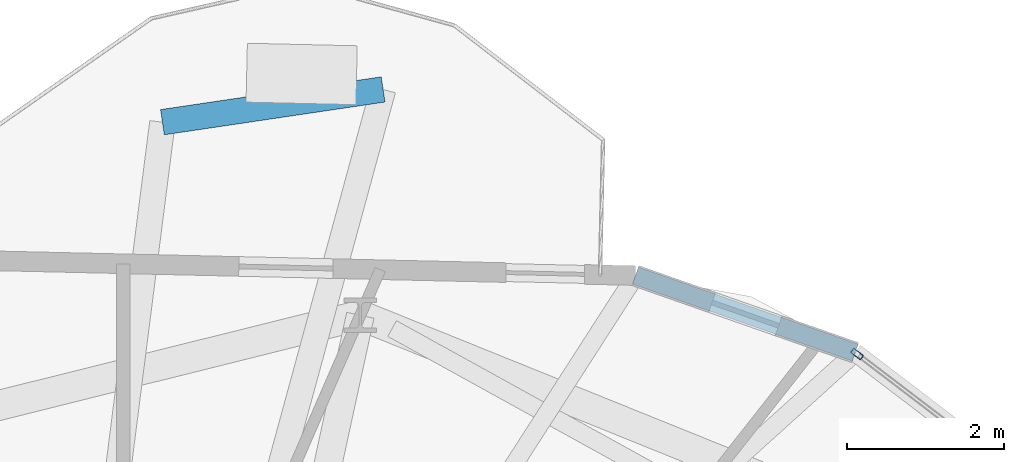
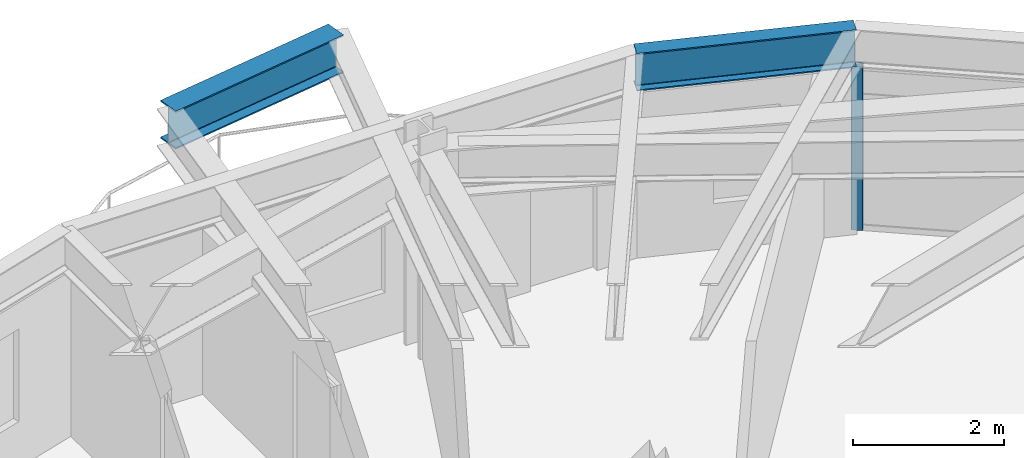
# One storey, part 13 of 22: 2 beams, 1 member, 1 element without a shape of its own.
"""IFC4 building model written with IfcOpenShell, lengths in metres."""

import ifcopenshell
import ifcopenshell.guid

model = None  # the IFC model being written
_history = None  # IfcOwnerHistory: only IFC2X3 demands one
_inside = {}  # id of a spatial element -> (the spatial element, [elements in it])
_under = {}  # id of a project, library or spatial element -> (it, [spatial elements below it])
_declared = {}  # id of a project -> (the project, [libraries it declares])
_typed = {}  # id of a type object -> (the type object, [elements of that type])
_made_of = {}  # id of a material, layer set ... -> (it, [elements and type objects made of it])


def new_model(schema):
    """Start an empty IFC model of exactly this schema.

    Asked for "IFC4X3", IfcOpenShell would pick the latest addendum, in which some entities
    have other attributes; the version numbers below select the first issue.
    IFC2X3 requires an IfcOwnerHistory on every rooted entity: one is made here for all.
    """
    global model, _history
    if schema == "IFC4X3":
        model = ifcopenshell.file(schema_version=(4, 3, 0, 0))
    else:
        model = ifcopenshell.file(schema=schema)
    _inside.clear()
    _under.clear()
    _declared.clear()
    _typed.clear()
    _made_of.clear()
    _history = None
    if model.schema == "IFC2X3":
        org = make("IfcOrganization", Name="unknown")
        user = make(
            "IfcPersonAndOrganization",
            ThePerson=make("IfcPerson", FamilyName="unknown"),
            TheOrganization=org,
        )
        app = make(
            "IfcApplication",
            ApplicationDeveloper=org,
            Version="unknown",
            ApplicationFullName="unknown",
            ApplicationIdentifier="unknown",
        )
        _history = make(
            "IfcOwnerHistory",
            OwningUser=user,
            OwningApplication=app,
            ChangeAction="ADDED",
            CreationDate=0,
        )
    return model


def make(cls, **values):
    """One entity of the class cls with the attributes given. An attribute that is None is left unset."""
    return model.create_entity(
        cls, **{name: value for name, value in values.items() if value is not None}
    )


def rooted(cls, **values):
    """An entity with a GlobalId (a new one), such as an element, a storey or a relation."""
    return make(cls, GlobalId=ifcopenshell.guid.new(), OwnerHistory=_history, **values)


def si_unit(unit_type, name, prefix=None):
    """IfcSIUnit, for example si_unit("LENGTHUNIT", "METRE", prefix="MILLI")."""
    return make("IfcSIUnit", UnitType=unit_type, Prefix=prefix, Name=name)


def assignment(units):
    """IfcUnitAssignment: the units of a project."""
    return None if units is None else make("IfcUnitAssignment", Units=units)


def point(xyz):
    """IfcCartesianPoint."""
    return None if xyz is None else make("IfcCartesianPoint", Coordinates=xyz)


def direction(xyz):
    """IfcDirection."""
    return None if xyz is None else make("IfcDirection", DirectionRatios=xyz)


def frame(location, z_axis=None, x_axis=None):
    """IfcAxis2Placement3D, a coordinate frame: its origin and axes. An axis left out is left unset."""
    return make(
        "IfcAxis2Placement3D",
        Location=point(location),
        Axis=direction(z_axis),
        RefDirection=direction(x_axis),
    )


def frame_2d(location, x_axis=None):
    """IfcAxis2Placement2D, a coordinate frame in the plane: its origin and x axis."""
    return make(
        "IfcAxis2Placement2D", Location=point(location), RefDirection=direction(x_axis)
    )


def origin():
    """The frame at (0, 0, 0) with its axes left unset."""
    return frame((0.0, 0.0, 0.0))


def origin_2d():
    """The frame at (0, 0) in the plane with its x axis left unset."""
    return frame_2d((0.0, 0.0))


def place(relative_to, where):
    """IfcLocalPlacement: puts the frame where relative to a parent placement (None: the world)."""
    return make(
        "IfcLocalPlacement", PlacementRelTo=relative_to, RelativePlacement=where
    )


def context(
    kind, dimensions, precision=None, world=None, true_north=None, identifier=None
):
    """IfcGeometricRepresentationContext, for example the 3D "Model" context."""
    return make(
        "IfcGeometricRepresentationContext",
        ContextIdentifier=identifier,
        ContextType=kind,
        CoordinateSpaceDimension=dimensions,
        Precision=precision,
        WorldCoordinateSystem=world,
        TrueNorth=true_north,
    )


def subcontext(parent, identifier, kind, view, scale=None):
    """IfcGeometricRepresentationSubContext, for example "Body" below "Model"."""
    return make(
        "IfcGeometricRepresentationSubContext",
        ContextIdentifier=identifier,
        ContextType=kind,
        ParentContext=parent,
        TargetScale=scale,
        TargetView=view,
    )


def project(units=None, contexts=None):
    """IfcProject with its units and contexts."""
    return rooted(
        "IfcProject",
        Name="project",
        RepresentationContexts=contexts,
        UnitsInContext=assignment(units),
    )


def spatial(cls, under=None, at=None, **own):
    """A site, building, storey or space (cls), placed at a placement, below another one or the project."""
    s = rooted(cls, ObjectPlacement=at, **own)
    if under is not None:
        _under.setdefault(under.id(), (under, []))[1].append(s)
    return s


def profile(cls, at=None, kind="AREA", **sizes):
    """A parametric profile (cls). Its sizes go by their IFC names, for example OverallWidth=200.0."""
    return make(cls, ProfileType=kind, Position=at, **sizes)


def hollow_rectangle(**sizes):
    """IfcRectangleHollowProfileDef."""
    return profile("IfcRectangleHollowProfileDef", **sizes)


def i_section(**sizes):
    """IfcIShapeProfileDef."""
    return profile("IfcIShapeProfileDef", **sizes)


def extrude(swept, where, along, depth):
    """IfcExtrudedAreaSolid: the profile swept, set in the frame where, extruded along a direction by depth."""
    return make(
        "IfcExtrudedAreaSolid",
        SweptArea=swept,
        Position=where,
        ExtrudedDirection=direction(along),
        Depth=depth,
    )


def shape(context_of_items, identifier, shape_type, items):
    """IfcShapeRepresentation: the items that make up one representation, for example the "Body"."""
    return make(
        "IfcShapeRepresentation",
        ContextOfItems=context_of_items,
        RepresentationIdentifier=identifier,
        RepresentationType=shape_type,
        Items=items,
    )


def material(Name=None, Category=None):
    """IfcMaterial."""
    return make("IfcMaterial", Name=Name, Category=Category)


def layer(
    of_material, thickness, ventilated=None, Name=None, Category=None, Priority=None
):
    """IfcMaterialLayer: one layer of a wall or slab, of a material (None: an air gap)."""
    return make(
        "IfcMaterialLayer",
        Material=of_material,
        LayerThickness=thickness,
        IsVentilated=ventilated,
        Name=Name,
        Category=Category,
        Priority=Priority,
    )


def layer_set(layers, Name=None):
    """IfcMaterialLayerSet."""
    return make("IfcMaterialLayerSet", MaterialLayers=layers, LayerSetName=Name)


def material_profile(
    of_material, cross_section, Name=None, Category=None, Priority=None
):
    """IfcMaterialProfile: a cross section and its material."""
    return make(
        "IfcMaterialProfile",
        Name=Name,
        Material=of_material,
        Profile=cross_section,
        Priority=Priority,
        Category=Category,
    )


def profile_set(profiles, Name=None, composite=None):
    """IfcMaterialProfileSet."""
    return make(
        "IfcMaterialProfileSet",
        Name=Name,
        MaterialProfiles=profiles,
        CompositeProfile=composite,
    )


def made_of(thing, what):
    """Note that an element or type object is made of a material, layer set ...; save() writes the relation."""
    if what is not None:
        _made_of.setdefault(what.id(), (what, []))[1].append(thing)
    return thing


def type_object(cls, material=None, **own):
    """A type object (cls), such as IfcWallType, which elements share."""
    return made_of(rooted(cls, **own), material)


def element(
    cls,
    number,
    at=None,
    inside=None,
    cuts=None,
    type_object=None,
    material=None,
    context=None,
    identifier="Body",
    shape_type=None,
    held_by="IfcProductDefinitionShape",
    body=None,
    shapes=None,
    **own,
):
    """One element of the class cls, such as IfcWall. Its Tag is "e" and its number.

    at: its placement. inside: the storey or other place that contains it. cuts: it is an
    opening in that element (IfcRelVoidsElement). A single representation is given by context,
    identifier, shape_type and body (its items); several are given by shapes. held_by: the class
    of the entity that holds the representations. save() writes the other relations.
    """
    e = rooted(cls, Tag="e%d" % number, ObjectPlacement=at, **own)
    if body is not None:
        shapes = [shape(context, identifier, shape_type, body)]
    if shapes is not None:
        e.Representation = make(held_by, Representations=shapes)
    if inside is not None:
        _inside.setdefault(inside.id(), (inside, []))[1].append(e)
    if cuts is not None:
        rooted(
            "IfcRelVoidsElement", RelatingBuildingElement=cuts, RelatedOpeningElement=e
        )
    if type_object is not None:
        _typed.setdefault(type_object.id(), (type_object, []))[1].append(e)
    return made_of(e, material)


def aggregate(whole, parts):
    """IfcRelAggregates: a whole, such as a stair, and the parts it consists of."""
    return rooted("IfcRelAggregates", RelatingObject=whole, RelatedObjects=parts)


def save(model, path):
    """Write the relations noted so far, then the file.

    IfcRelAggregates (storeys below a building ...), IfcRelContainedInSpatialStructure (elements
    in a storey), IfcRelDefinesByType, IfcRelAssociatesMaterial and IfcRelDeclares: one each for
    every whole, place, type object, material and project.
    """
    for whole, parts in _under.values():
        aggregate(whole, parts)
    for where, things in _inside.values():
        rooted(
            "IfcRelContainedInSpatialStructure",
            RelatedElements=things,
            RelatingStructure=where,
        )
    for kind, things in _typed.values():
        rooted("IfcRelDefinesByType", RelatedObjects=things, RelatingType=kind)
    for what, things in _made_of.values():
        rooted("IfcRelAssociatesMaterial", RelatedObjects=things, RelatingMaterial=what)
    for by, libraries in _declared.values():
        rooted("IfcRelDeclares", RelatingContext=by, RelatedDefinitions=libraries)
    model.write(path)


model = new_model("IFC4")

# Units and contexts
model_context = context("Model", 3, precision=1e-05, world=origin(), true_north=direction((0.0, 1.0)))
body_context = subcontext(model_context, "Body", "Model", "MODEL_VIEW")
ifc_project = project(units=[si_unit("LENGTHUNIT", "METRE"), si_unit("AREAUNIT", "SQUARE_METRE"), si_unit("VOLUMEUNIT", "CUBIC_METRE"), si_unit("PLANEANGLEUNIT", "RADIAN"), si_unit("MASSUNIT", "GRAM", prefix="KILO")], contexts=[model_context])

# Site, building, storey
site_placement = place(None, origin())
site = spatial("IfcSite", under=ifc_project, at=site_placement, CompositionType="ELEMENT")
building_placement = place(site_placement, origin())
building = spatial("IfcBuilding", under=site, at=building_placement, Name="Soratama Intermodal Tower", CompositionType="ELEMENT")
storey_placement = place(building_placement, frame((0.0, 0.0, 160.60009765625)))
storey = spatial("IfcBuildingStorey", under=building, at=storey_placement, Name="L39", CompositionType="ELEMENT", Elevation=160.60009765625)

# Beams
ifc_material_1 = material(Name="Structural steel ASTM A992 Grade 50", Category="steel")
ifc_material_profile_1 = material_profile(ifc_material_1, i_section(OverallWidth=0.324951171875, OverallDepth=0.615966796875, WebThickness=0.013916015625, FlangeThickness=0.021484375, FilletRadius=0.013916015625, at=origin_2d()), Name="W24X117")
ifc_profile_set_1 = profile_set([ifc_material_profile_1], Name="Structural steel ASTM A992 Grade 50")
beam_type_1 = type_object("IfcBeamType", Name="BM-CANT-W24X117", PredefinedType="BEAM", material=ifc_profile_set_1)
beam_1_placement = place(storey_placement, frame((46.510986328125, 45.333984375, 2.991943359375), z_axis=(-0.989175768785, -0.146735470999, 0.0), x_axis=(0.146735470999, -0.989175768785, 0.0)))
element("IfcBeam", 1, at=beam_1_placement, inside=storey, type_object=beam_type_1, Name="BM-L39-CBHDR-1", PredefinedType="BEAM", context=body_context, shape_type="SweptSolid", body=[
    extrude(i_section(OverallWidth=0.324951171875, OverallDepth=0.615966796875, WebThickness=0.013916015625, FlangeThickness=0.021484375, FilletRadius=0.013916015625, at=origin_2d()), origin(), (0.0, 0.0, 1.0), 2.841796875),
])
ifc_material_2 = material(Name="Structural steel ASTM A992 Grade 50", Category="steel")
ifc_material_profile_2 = material_profile(ifc_material_2, i_section(OverallWidth=0.22900390625, OverallDepth=0.612060546875, WebThickness=0.011962890625, FlangeThickness=0.01953125, FilletRadius=0.012939453125, at=origin_2d()), Name="W24X84")
ifc_profile_set_2 = profile_set([ifc_material_profile_2], Name="Structural steel ASTM A992 Grade 50")
beam_type_2 = type_object("IfcBeamType", Name="BM-SPN-W24X84", PredefinedType="SPANDREL", material=ifc_profile_set_2)
beam_2_placement = place(storey_placement, frame((52.52490234375, 41.98193359375, 2.993896484375), z_axis=(-0.943714528164, 0.330761075904, 0.0), x_axis=(-0.330761075904, -0.943714528164, 0.0)))
element("IfcBeam", 2, at=beam_2_placement, inside=storey, type_object=beam_type_2, Name="BS-L39-CRN01", PredefinedType="SPANDREL", context=body_context, shape_type="SweptSolid", body=[
    extrude(i_section(OverallWidth=0.22900390625, OverallDepth=0.612060546875, WebThickness=0.011962890625, FlangeThickness=0.01953125, FilletRadius=0.012939453125, at=origin_2d()), origin(), (0.0, 0.0, 1.0), 2.9658203125),
])

# Curtain wall, member
ifc_material_3 = material(Name="Double-glazed aluminium curtain wall", Category="aluminium")
ifc_layer = layer(ifc_material_3, 0.159912109375)
ifc_layer_set = layer_set([ifc_layer], Name="Double-glazed aluminium curtain wall")
curtain_wall_type = type_object("IfcCurtainWallType", Name="CW-SYS-4", PredefinedType="NOTDEFINED", material=ifc_layer_set)
curtain_wall_placement = place(storey_placement, origin())
curtain_wall = element("IfcCurtainWall", 3, at=curtain_wall_placement, inside=storey, type_object=curtain_wall_type, Name="L39 Faceted Curtain Wall F01", PredefinedType="NOTDEFINED")
ifc_material_4 = material(Name="Anodised aluminium AA 6063-T6", Category="aluminium")
ifc_material_profile_3 = material_profile(ifc_material_4, hollow_rectangle(XDim=0.070068359375, YDim=0.159912109375, WallThickness=0.0048828125, InnerFilletRadius=0.0048828125, OuterFilletRadius=0.010009765625, at=origin_2d()), Name="CWM160X70X5")
ifc_profile_set_3 = profile_set([ifc_material_profile_3], Name="Anodised aluminium AA 6063-T6")
member_type = type_object("IfcMemberType", Name="MT-CWM-4", PredefinedType="MULLION", material=ifc_profile_set_3)
member_placement = place(storey_placement, frame((52.549072265625, 41.96337890625, 0.0), z_axis=(0.0, 0.0, 1.0), x_axis=(-0.606268942979, -0.795259686379, 0.0)))
member = element("IfcMember", 4, at=member_placement, type_object=member_type, Name="CW-4 mullion 2", PredefinedType="MULLION", context=body_context, shape_type="SweptSolid", body=[
    extrude(hollow_rectangle(XDim=0.070068359375, YDim=0.159912109375, WallThickness=0.0048828125, InnerFilletRadius=0.0048828125, OuterFilletRadius=0.010009765625, at=origin_2d()), origin(), (0.0, 0.0, 1.0), 2.678955078125),
])
aggregate(curtain_wall, [member])

save(model, "model.ifc")
